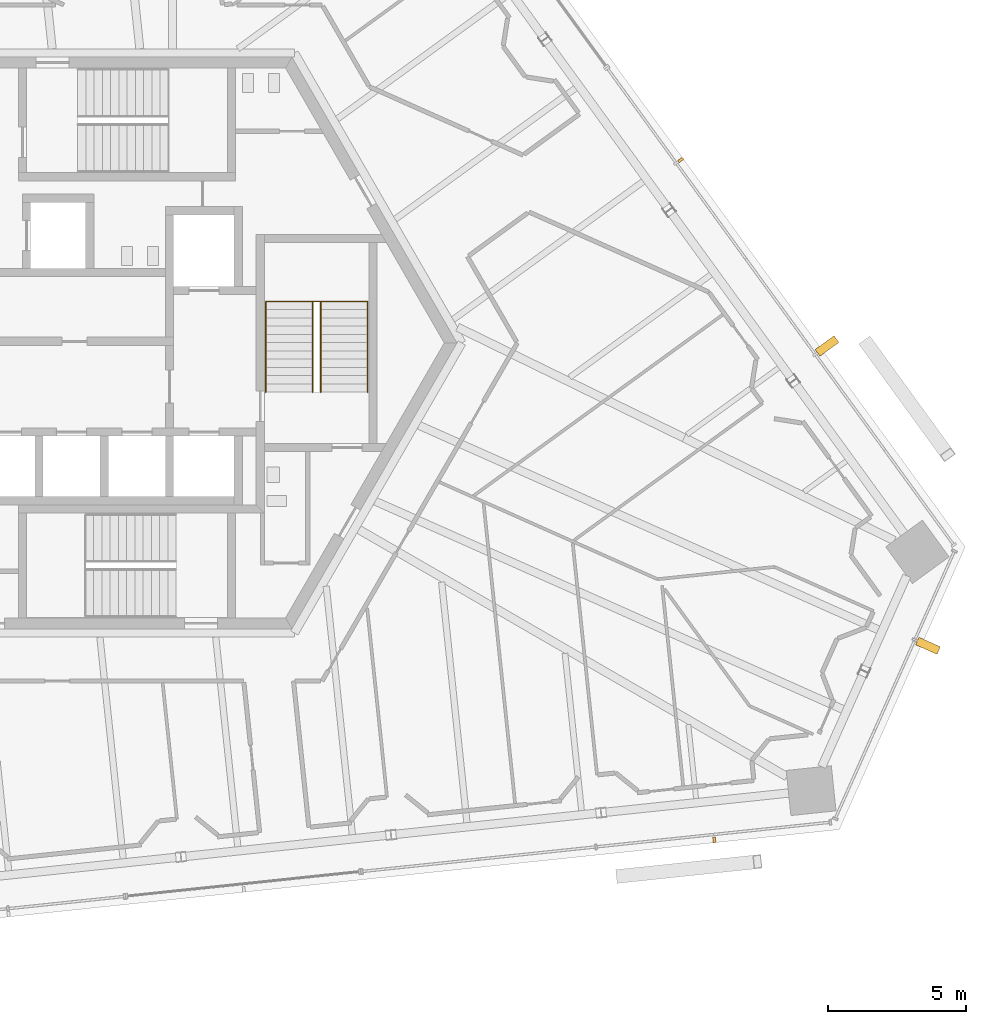
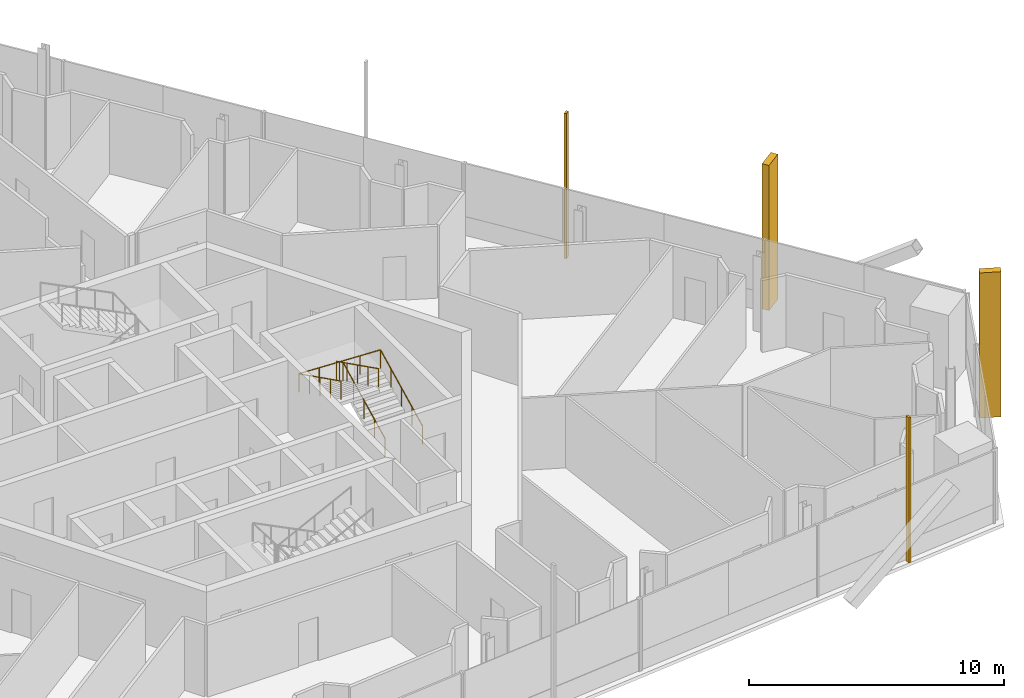
# One storey, part 17 of 21: 4 shading devices, 2 railings.
"""IFC4 building model written with IfcOpenShell, lengths in metres."""

from ifc_helpers import new_model, si_unit, direction, frame, origin, origin_2d, place, context, subcontext, project, spatial, rectangle, circle, extrude, source, transform, mapped, material, type_object, element, save


model = new_model("IFC4")

# Units and contexts
model_context = context("Model", 3, precision=1e-05, world=origin(), true_north=direction((0.0, 1.0)))
body_context = subcontext(model_context, "Body", "Model", "MODEL_VIEW")
ifc_project = project(units=[si_unit("LENGTHUNIT", "METRE"), si_unit("AREAUNIT", "SQUARE_METRE"), si_unit("VOLUMEUNIT", "CUBIC_METRE"), si_unit("PLANEANGLEUNIT", "RADIAN"), si_unit("MASSUNIT", "GRAM", prefix="KILO")], contexts=[model_context])

# Site, building, storey
site_placement = place(None, origin())
site = spatial("IfcSite", under=ifc_project, at=site_placement, CompositionType="ELEMENT")
building_placement = place(site_placement, origin())
building = spatial("IfcBuilding", under=site, at=building_placement, Name="Triune Harvest Tower", CompositionType="ELEMENT")
storey_placement = place(building_placement, frame((0.0, 0.0, 248.5)))
storey = spatial("IfcBuildingStorey", under=building, at=storey_placement, Name="L65", CompositionType="ELEMENT", Elevation=248.5)

# Railings
ifc_material_1 = material(Name="Stainless steel AISI 316", Category="steel")
railing_type = type_object("IfcRailingType", Name="Stair handrail", PredefinedType="HANDRAIL", material=ifc_material_1)
shared_shape_1 = source(origin(), body_context, "Body", "SweptSolid", [
    extrude(circle(Radius=0.02392578125, at=origin_2d()), frame((0.0, 0.0, 0.8759765625), z_axis=(0.0, 0.894413956696, 0.447240063129), x_axis=(-1.0, 0.0, 0.0)), (0.0, 0.0, 1.0), 3.689697265625),
    extrude(circle(Radius=0.02392578125, at=origin_2d()), frame((0.0, 3.300048828125, 2.52587890625), z_axis=(-0.999180289278, 0.0, 0.040481471304), x_axis=(0.0, -1.0, 0.0)), (0.0, 0.0, 1.0), 3.702880859375),
    extrude(circle(Radius=0.02392578125, at=origin_2d()), frame((-3.699951171875, 3.300048828125, 2.67578125), z_axis=(0.0, -0.894413956696, 0.447240063129), x_axis=(1.0, 0.0, 0.0)), (0.0, 0.0, 1.0), 3.689697265625),
    extrude(circle(Radius=0.02099609375, at=origin_2d()), origin(), (0.0, 0.0, 1.0), 0.851806640625),
    extrude(circle(Radius=0.02099609375, at=origin_2d()), frame((0.0, 0.824951171875, 0.41259765625)), (0.0, 0.0, 1.0), 0.851806640625),
    extrude(circle(Radius=0.02099609375, at=origin_2d()), frame((0.0, 1.64990234375, 0.8251953125)), (0.0, 0.0, 1.0), 0.851806640625),
    extrude(circle(Radius=0.02099609375, at=origin_2d()), frame((0.0, 2.47509765625, 1.237548828125)), (0.0, 0.0, 1.0), 0.851806640625),
    extrude(circle(Radius=0.02099609375, at=origin_2d()), frame((0.0, 3.300048828125, 1.650146484375)), (0.0, 0.0, 1.0), 0.851806640625),
    extrude(circle(Radius=0.02099609375, at=origin_2d()), frame((-0.925048828125, 3.300048828125, 1.6875)), (0.0, 0.0, 1.0), 0.851806640625),
    extrude(circle(Radius=0.02099609375, at=origin_2d()), frame((-1.85009765625, 3.300048828125, 1.72509765625)), (0.0, 0.0, 1.0), 0.851806640625),
    extrude(circle(Radius=0.02099609375, at=origin_2d()), frame((-2.77490234375, 3.300048828125, 1.7626953125)), (0.0, 0.0, 1.0), 0.851806640625),
    extrude(circle(Radius=0.02099609375, at=origin_2d()), frame((-3.699951171875, 3.300048828125, 1.800048828125)), (0.0, 0.0, 1.0), 0.851806640625),
    extrude(circle(Radius=0.02099609375, at=origin_2d()), frame((-3.699951171875, 2.47509765625, 2.212646484375)), (0.0, 0.0, 1.0), 0.851806640625),
    extrude(circle(Radius=0.02099609375, at=origin_2d()), frame((-3.699951171875, 1.64990234375, 2.625)), (0.0, 0.0, 1.0), 0.851806640625),
    extrude(circle(Radius=0.02099609375, at=origin_2d()), frame((-3.699951171875, 0.824951171875, 3.03759765625)), (0.0, 0.0, 1.0), 0.851806640625),
    extrude(circle(Radius=0.02099609375, at=origin_2d()), frame((-3.699951171875, 0.0, 3.4501953125)), (0.0, 0.0, 1.0), 0.851806640625),
])
railing_1_placement = place(storey_placement, frame((8.75, -1.7900390625, 0.14990234375)))
element("IfcRailing", 1, at=railing_1_placement, inside=storey, type_object=railing_type, Name="Exit stair east wall handrail", PredefinedType="HANDRAIL", context=body_context, shape_type="MappedRepresentation", body=[
    mapped(shared_shape_1, transform((0.0, 0.0, 0.0), scale=1.0)),
])
shared_shape_2 = source(origin(), body_context, "Body", "SweptSolid", [
    extrude(circle(Radius=0.02392578125, at=origin_2d()), frame((0.0, 0.0, 0.8759765625), z_axis=(0.0, 0.894413956696, 0.447240063129), x_axis=(-1.0, 0.0, 0.0)), (0.0, 0.0, 1.0), 3.689697265625),
    extrude(circle(Radius=0.02392578125, at=origin_2d()), frame((0.0, 3.300048828125, 2.52587890625), z_axis=(-0.894572720946, 0.0, 0.446922417137), x_axis=(0.0, -1.0, 0.0)), (0.0, 0.0, 1.0), 0.33544921875),
    extrude(circle(Radius=0.02392578125, at=origin_2d()), frame((-0.300048828125, 3.300048828125, 2.67578125), z_axis=(0.0, -0.894413956696, 0.447240063129), x_axis=(1.0, 0.0, 0.0)), (0.0, 0.0, 1.0), 3.689697265625),
    extrude(circle(Radius=0.02099609375, at=origin_2d()), origin(), (0.0, 0.0, 1.0), 0.851806640625),
    extrude(circle(Radius=0.02099609375, at=origin_2d()), frame((0.0, 0.824951171875, 0.41259765625)), (0.0, 0.0, 1.0), 0.851806640625),
    extrude(circle(Radius=0.02099609375, at=origin_2d()), frame((0.0, 1.64990234375, 0.8251953125)), (0.0, 0.0, 1.0), 0.851806640625),
    extrude(circle(Radius=0.02099609375, at=origin_2d()), frame((0.0, 2.47509765625, 1.237548828125)), (0.0, 0.0, 1.0), 0.851806640625),
    extrude(circle(Radius=0.02099609375, at=origin_2d()), frame((0.0, 3.300048828125, 1.650146484375)), (0.0, 0.0, 1.0), 0.851806640625),
    extrude(circle(Radius=0.02099609375, at=origin_2d()), frame((-0.300048828125, 3.300048828125, 1.800048828125)), (0.0, 0.0, 1.0), 0.851806640625),
    extrude(circle(Radius=0.02099609375, at=origin_2d()), frame((-0.300048828125, 2.47509765625, 2.212646484375)), (0.0, 0.0, 1.0), 0.851806640625),
    extrude(circle(Radius=0.02099609375, at=origin_2d()), frame((-0.300048828125, 1.64990234375, 2.625)), (0.0, 0.0, 1.0), 0.851806640625),
    extrude(circle(Radius=0.02099609375, at=origin_2d()), frame((-0.300048828125, 0.824951171875, 3.03759765625)), (0.0, 0.0, 1.0), 0.851806640625),
    extrude(circle(Radius=0.02099609375, at=origin_2d()), frame((-0.300048828125, 0.0, 3.4501953125)), (0.0, 0.0, 1.0), 0.851806640625),
])
railing_2_placement = place(storey_placement, frame((7.050048828125, -1.7900390625, 0.14990234375)))
element("IfcRailing", 2, at=railing_2_placement, inside=storey, type_object=railing_type, Name="Exit stair east centre handrail", PredefinedType="HANDRAIL", context=body_context, shape_type="MappedRepresentation", body=[
    mapped(shared_shape_2, transform((0.0, 0.0, 0.0), scale=1.0)),
])

# Shading devices
ifc_material_2 = material(Name="Aluminium bronze anodised", Category="aluminium")
shared_shape_3 = source(origin(), body_context, "Body", "SweptSolid", [
    extrude(rectangle(XDim=0.300048828125, YDim=0.85009765625, at=origin_2d()), origin(), (0.0, 0.0, 1.0), 6.949951171875),
])
for number, where, z_axis, x_axis, name in (
    (3, (25.4541015625, -0.109375, 0.0), (0.0, 0.0, 1.0), (-0.587785672066, 0.809016689391, 0.0), "FN-2 fin B6-F1.3 L65"),
    (4, (29.1259765625, -11.0107421875, 0.0), (0.0, 0.0, 1.0), (0.406743216086, 0.913542531121, 0.0), "FN-2 fin B6-F6.3 L65"),
):
    element("IfcShadingDevice", number, at=place(storey_placement, frame(where, z_axis=z_axis, x_axis=x_axis)), inside=storey, material=ifc_material_2, Name=name, ObjectType="FIN", PredefinedType="USERDEFINED", context=body_context, shape_type="MappedRepresentation", body=[
        mapped(shared_shape_3, transform((0.0, 0.0, 0.0), scale=1.0)),
    ])
shared_shape_4 = source(origin(), body_context, "Body", "SweptSolid", [
    extrude(rectangle(XDim=0.10009765625, YDim=0.199951171875, at=origin_2d()), origin(), (0.0, 0.0, 1.0), 6.949951171875),
])
for number, where, z_axis, x_axis, name in (
    (5, (20.13623046875, 6.6572265625, 0.0), (0.0, 0.0, 1.0), (-0.587785672066, 0.809016689391, 0.0), "FN-1 fin B6-F1.5 L65"),
    (6, (21.35595703125, -18.070068359375, 0.0), (0.0, 0.0, 1.0), (0.994521747579, 0.104529869379, 0.0), "FN-1 fin B6-F5.11 L65"),
):
    element("IfcShadingDevice", number, at=place(storey_placement, frame(where, z_axis=z_axis, x_axis=x_axis)), inside=storey, material=ifc_material_2, Name=name, ObjectType="FIN", PredefinedType="USERDEFINED", context=body_context, shape_type="MappedRepresentation", body=[
        mapped(shared_shape_4, transform((0.0, 0.0, 0.0), scale=1.0)),
    ])

save(model, "model.ifc")
